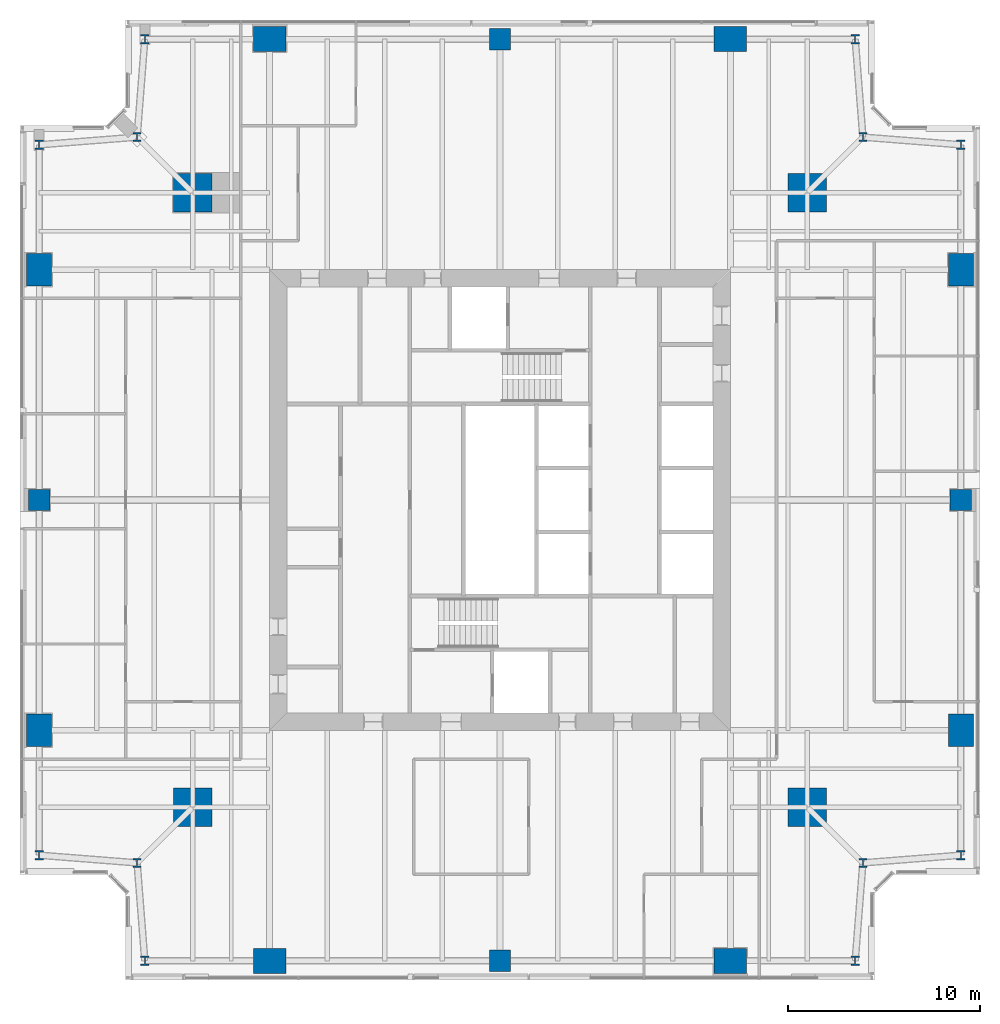
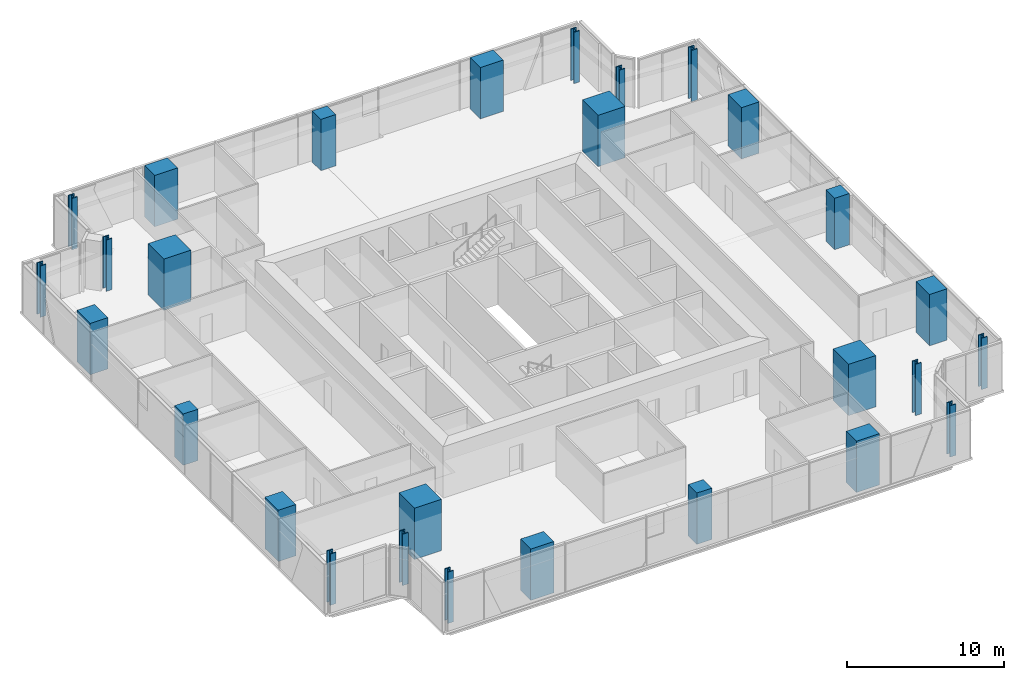
# One storey, part 1 of 16: 28 columns.
"""IFC4 building model written with IfcOpenShell, lengths in metres."""

from ifc_helpers import new_model, si_unit, direction, frame, origin, origin_2d, place, context, subcontext, project, spatial, rectangle, i_section, extrude, material, material_profile, profile_set, type_object, element, save


model = new_model("IFC4")

# Units and contexts
model_context = context("Model", 3, precision=1e-05, world=origin(), true_north=direction((0.0, 1.0)))
body_context = subcontext(model_context, "Body", "Model", "MODEL_VIEW")
ifc_project = project(units=[si_unit("LENGTHUNIT", "METRE"), si_unit("AREAUNIT", "SQUARE_METRE"), si_unit("VOLUMEUNIT", "CUBIC_METRE"), si_unit("PLANEANGLEUNIT", "RADIAN"), si_unit("MASSUNIT", "GRAM", prefix="KILO")], contexts=[model_context])

# Site, building, storey
site_placement = place(None, origin())
site = spatial("IfcSite", under=ifc_project, at=site_placement, CompositionType="ELEMENT")
building_placement = place(site_placement, origin())
building = spatial("IfcBuilding", under=site, at=building_placement, Name="Fenwick Lantern Interchange", CompositionType="ELEMENT")
storey_placement = place(building_placement, frame((0.0, 0.0, 213.800048828125)))
storey = spatial("IfcBuildingStorey", under=building, at=storey_placement, Name="L50", CompositionType="ELEMENT", Elevation=213.800048828125)

# Columns
ifc_material_1 = material(Name="Concrete f'c 70 MPa", Category="concrete")
ifc_material_profile_1 = material_profile(ifc_material_1, rectangle(XDim=2.0, YDim=2.0, at=origin_2d()), Name="RC2000X2000")
ifc_profile_set_1 = profile_set([ifc_material_profile_1], Name="Concrete f'c 70 MPa")
column_type_1 = type_object("IfcColumnType", Name="MEGA COLUMN RC2000X2000", PredefinedType="COLUMN", material=ifc_profile_set_1)
for number, where, z_axis, x_axis, name in (
    (1, (9.0, 9.0, 0.0), (0.0, 0.0, 1.0), (1.0, 0.0, 0.0), "L50/M1"),
    (2, (41.0, 9.0, 0.0), (0.0, 0.0, 1.0), (1.0, 0.0, 0.0), "L50/M2"),
    (3, (41.0, 41.0, 0.0), (0.0, 0.0, 1.0), (1.0, 0.0, 0.0), "L50/M3"),
    (4, (9.0, 41.0, 0.0), (0.0, 0.0, 1.0), (1.0, 0.0, 0.0), "L50/M4"),
):
    element("IfcColumn", number, at=place(storey_placement, frame(where, z_axis=z_axis, x_axis=x_axis)), inside=storey, type_object=column_type_1, Name=name, PredefinedType="COLUMN", context=body_context, shape_type="SweptSolid", body=[
        extrude(rectangle(XDim=2.0, YDim=2.0, at=origin_2d()), origin(), (0.0, 0.0, 1.0), 4.0),
    ])
ifc_material_profile_2 = material_profile(ifc_material_1, rectangle(XDim=1.10009765625, YDim=1.10009765625, at=origin_2d()), Name="RC1100X1100")
ifc_profile_set_2 = profile_set([ifc_material_profile_2], Name="Concrete f'c 70 MPa")
column_type_2 = type_object("IfcColumnType", Name="PERIMETER COLUMN RC1100X1100", PredefinedType="COLUMN", material=ifc_profile_set_2)
for number, where, z_axis, x_axis, name in (
    (5, (25.0, 1.0, 0.0), (0.0, 0.0, 1.0), (1.0, 0.0, 0.0), "L50/CS3"),
    (6, (49.0, 25.0, 0.0), (0.0, 0.0, 1.0), (1.0, 0.0, 0.0), "L50/CE3"),
    (7, (25.0, 49.0, 0.0), (0.0, 0.0, 1.0), (1.0, 0.0, 0.0), "L50/CN3"),
    (8, (1.0, 25.0, 0.0), (0.0, 0.0, 1.0), (1.0, 0.0, 0.0), "L50/CW3"),
):
    element("IfcColumn", number, at=place(storey_placement, frame(where, z_axis=z_axis, x_axis=x_axis)), inside=storey, type_object=column_type_2, Name=name, PredefinedType="COLUMN", context=body_context, shape_type="SweptSolid", body=[
        extrude(rectangle(XDim=1.10009765625, YDim=1.10009765625, at=origin_2d()), origin(), (0.0, 0.0, 1.0), 4.0),
    ])
ifc_material_profile_3 = material_profile(ifc_material_1, rectangle(XDim=1.300048828125, YDim=1.699951171875, at=origin_2d()), Name="RC1300X1700")
ifc_profile_set_3 = profile_set([ifc_material_profile_3], Name="Concrete f'c 70 MPa")
column_type_3 = type_object("IfcColumnType", Name="PERIMETER COLUMN RC1300X1700", PredefinedType="COLUMN", material=ifc_profile_set_3)
for number, where, z_axis, x_axis, name in (
    (9, (49.0, 13.0, 0.0), (0.0, 0.0, 1.0), (1.0, 0.0, 0.0), "L50/CE2"),
    (10, (49.0, 37.0, 0.0), (0.0, 0.0, 1.0), (1.0, 0.0, 0.0), "L50/CE4"),
    (11, (1.0, 37.0, 0.0), (0.0, 0.0, 1.0), (1.0, 0.0, 0.0), "L50/CW2"),
    (12, (1.0, 13.0, 0.0), (0.0, 0.0, 1.0), (1.0, 0.0, 0.0), "L50/CW4"),
):
    element("IfcColumn", number, at=place(storey_placement, frame(where, z_axis=z_axis, x_axis=x_axis)), inside=storey, type_object=column_type_3, Name=name, PredefinedType="COLUMN", context=body_context, shape_type="SweptSolid", body=[
        extrude(rectangle(XDim=1.300048828125, YDim=1.699951171875, at=origin_2d()), origin(), (0.0, 0.0, 1.0), 4.0),
    ])
ifc_material_profile_4 = material_profile(ifc_material_1, rectangle(XDim=1.699951171875, YDim=1.300048828125, at=origin_2d()), Name="RC1700X1300")
ifc_profile_set_4 = profile_set([ifc_material_profile_4], Name="Concrete f'c 70 MPa")
column_type_4 = type_object("IfcColumnType", Name="PERIMETER COLUMN RC1700X1300", PredefinedType="COLUMN", material=ifc_profile_set_4)
for number, where, z_axis, x_axis, name in (
    (13, (13.0, 1.0, 0.0), (0.0, 0.0, 1.0), (1.0, 0.0, 0.0), "L50/CS2"),
    (14, (37.0, 1.0, 0.0), (0.0, 0.0, 1.0), (1.0, 0.0, 0.0), "L50/CS4"),
    (15, (37.0, 49.0, 0.0), (0.0, 0.0, 1.0), (1.0, 0.0, 0.0), "L50/CN2"),
    (16, (13.0, 49.0, 0.0), (0.0, 0.0, 1.0), (1.0, 0.0, 0.0), "L50/CN4"),
):
    element("IfcColumn", number, at=place(storey_placement, frame(where, z_axis=z_axis, x_axis=x_axis)), inside=storey, type_object=column_type_4, Name=name, PredefinedType="COLUMN", context=body_context, shape_type="SweptSolid", body=[
        extrude(rectangle(XDim=1.699951171875, YDim=1.300048828125, at=origin_2d()), origin(), (0.0, 0.0, 1.0), 4.0),
    ])
ifc_material_2 = material(Name="Steel ASTM A992 Grade 50", Category="steel")
ifc_material_profile_5 = material_profile(ifc_material_2, i_section(OverallWidth=0.424072265625, OverallDepth=0.47509765625, WebThickness=0.0478515625, FlangeThickness=0.0771484375, at=origin_2d()), Name="W14X426")
ifc_profile_set_5 = profile_set([ifc_material_profile_5], Name="Steel ASTM A992 Grade 50")
column_type_5 = type_object("IfcColumnType", Name="PERIMETER COLUMN W14X426", PredefinedType="COLUMN", material=ifc_profile_set_5)
for number, where, z_axis, x_axis, name in (
    (17, (6.5, 1.0, 0.0), (0.0, 0.0, 1.0), (1.0, 0.0, 0.0), "L50/CS1"),
    (18, (43.5, 1.0, 0.0), (0.0, 0.0, 1.0), (1.0, 0.0, 0.0), "L50/CS5"),
    (19, (43.89990234375, 6.10009765625, 0.0), (0.0, 0.0, 1.0), (1.0, 0.0, 0.0), "L50/CSR"),
    (20, (49.0, 6.5, 0.0), (0.0, 0.0, 1.0), (1.0, 0.0, 0.0), "L50/CE1"),
    (21, (49.0, 43.5, 0.0), (0.0, 0.0, 1.0), (1.0, 0.0, 0.0), "L50/CE5"),
    (22, (43.89990234375, 43.89990234375, 0.0), (0.0, 0.0, 1.0), (1.0, 0.0, 0.0), "L50/CER"),
    (23, (43.5, 49.0, 0.0), (0.0, 0.0, 1.0), (1.0, 0.0, 0.0), "L50/CN1"),
    (24, (6.5, 49.0, 0.0), (0.0, 0.0, 1.0), (1.0, 0.0, 0.0), "L50/CN5"),
    (25, (6.10009765625, 43.89990234375, 0.0), (0.0, 0.0, 1.0), (1.0, 0.0, 0.0), "L50/CNR"),
    (26, (1.0, 43.5, 0.0), (0.0, 0.0, 1.0), (1.0, 0.0, 0.0), "L50/CW1"),
    (27, (1.0, 6.5, 0.0), (0.0, 0.0, 1.0), (1.0, 0.0, 0.0), "L50/CW5"),
    (28, (6.10009765625, 6.10009765625, 0.0), (0.0, 0.0, 1.0), (1.0, 0.0, 0.0), "L50/CWR"),
):
    element("IfcColumn", number, at=place(storey_placement, frame(where, z_axis=z_axis, x_axis=x_axis)), inside=storey, type_object=column_type_5, Name=name, PredefinedType="COLUMN", context=body_context, shape_type="SweptSolid", body=[
        extrude(i_section(OverallWidth=0.424072265625, OverallDepth=0.47509765625, WebThickness=0.0478515625, FlangeThickness=0.0771484375, at=origin_2d()), origin(), (0.0, 0.0, 1.0), 4.0),
    ])

save(model, "model.ifc")
